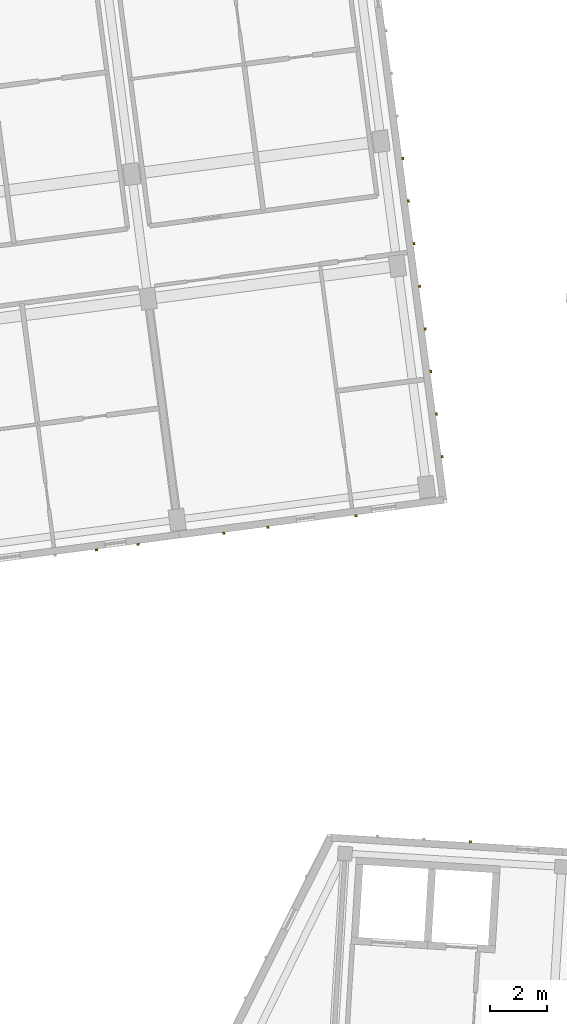
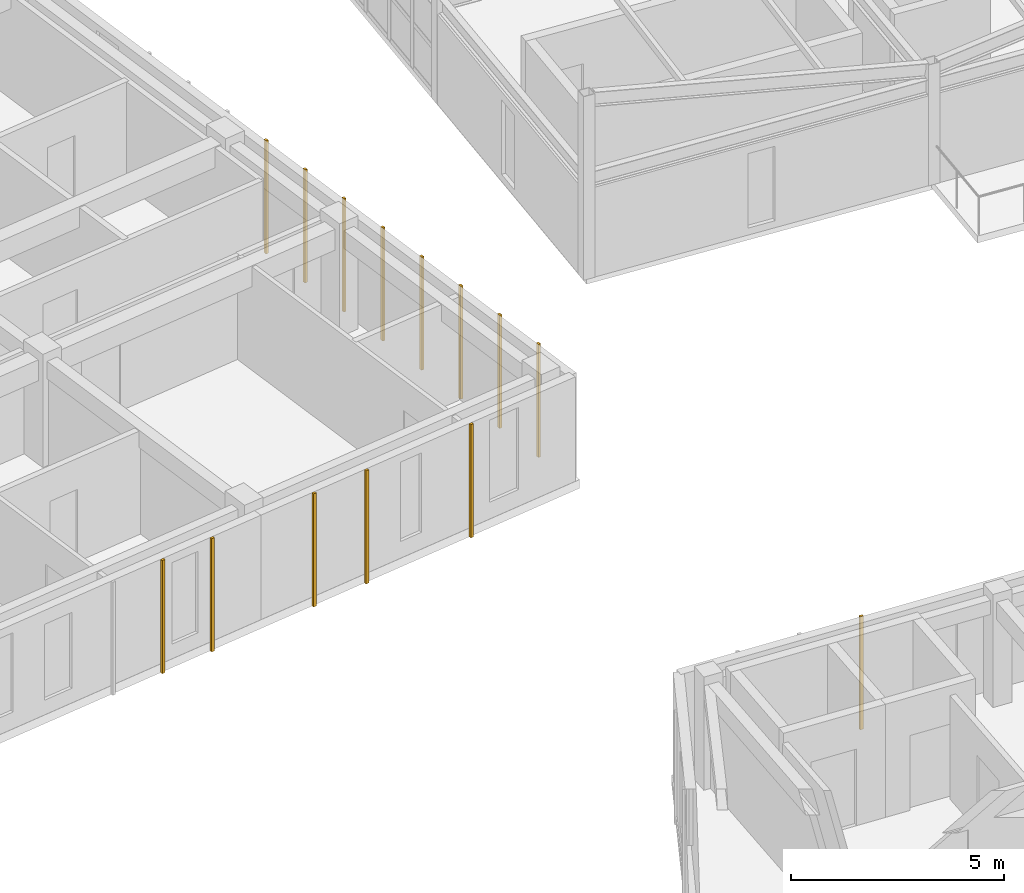
# One storey, part 109 of 127: 14 coverings.
"""IFC4 building model written with IfcOpenShell, lengths in metres."""

import ifcopenshell
import ifcopenshell.guid

model = None  # the IFC model being written
_history = None  # IfcOwnerHistory: only IFC2X3 demands one
_inside = {}  # id of a spatial element -> (the spatial element, [elements in it])
_under = {}  # id of a project, library or spatial element -> (it, [spatial elements below it])
_declared = {}  # id of a project -> (the project, [libraries it declares])
_typed = {}  # id of a type object -> (the type object, [elements of that type])
_made_of = {}  # id of a material, layer set ... -> (it, [elements and type objects made of it])


def new_model(schema):
    """Start an empty IFC model of exactly this schema.

    Asked for "IFC4X3", IfcOpenShell would pick the latest addendum, in which some entities
    have other attributes; the version numbers below select the first issue.
    IFC2X3 requires an IfcOwnerHistory on every rooted entity: one is made here for all.
    """
    global model, _history
    if schema == "IFC4X3":
        model = ifcopenshell.file(schema_version=(4, 3, 0, 0))
    else:
        model = ifcopenshell.file(schema=schema)
    _inside.clear()
    _under.clear()
    _declared.clear()
    _typed.clear()
    _made_of.clear()
    _history = None
    if model.schema == "IFC2X3":
        org = make("IfcOrganization", Name="unknown")
        user = make(
            "IfcPersonAndOrganization",
            ThePerson=make("IfcPerson", FamilyName="unknown"),
            TheOrganization=org,
        )
        app = make(
            "IfcApplication",
            ApplicationDeveloper=org,
            Version="unknown",
            ApplicationFullName="unknown",
            ApplicationIdentifier="unknown",
        )
        _history = make(
            "IfcOwnerHistory",
            OwningUser=user,
            OwningApplication=app,
            ChangeAction="ADDED",
            CreationDate=0,
        )
    return model


def make(cls, **values):
    """One entity of the class cls with the attributes given. An attribute that is None is left unset."""
    return model.create_entity(
        cls, **{name: value for name, value in values.items() if value is not None}
    )


def rooted(cls, **values):
    """An entity with a GlobalId (a new one), such as an element, a storey or a relation."""
    return make(cls, GlobalId=ifcopenshell.guid.new(), OwnerHistory=_history, **values)


def si_unit(unit_type, name, prefix=None):
    """IfcSIUnit, for example si_unit("LENGTHUNIT", "METRE", prefix="MILLI")."""
    return make("IfcSIUnit", UnitType=unit_type, Prefix=prefix, Name=name)


def assignment(units):
    """IfcUnitAssignment: the units of a project."""
    return None if units is None else make("IfcUnitAssignment", Units=units)


def point(xyz):
    """IfcCartesianPoint."""
    return None if xyz is None else make("IfcCartesianPoint", Coordinates=xyz)


def direction(xyz):
    """IfcDirection."""
    return None if xyz is None else make("IfcDirection", DirectionRatios=xyz)


def frame(location, z_axis=None, x_axis=None):
    """IfcAxis2Placement3D, a coordinate frame: its origin and axes. An axis left out is left unset."""
    return make(
        "IfcAxis2Placement3D",
        Location=point(location),
        Axis=direction(z_axis),
        RefDirection=direction(x_axis),
    )


def frame_2d(location, x_axis=None):
    """IfcAxis2Placement2D, a coordinate frame in the plane: its origin and x axis."""
    return make(
        "IfcAxis2Placement2D", Location=point(location), RefDirection=direction(x_axis)
    )


def origin():
    """The frame at (0, 0, 0) with its axes left unset."""
    return frame((0.0, 0.0, 0.0))


def origin_2d():
    """The frame at (0, 0) in the plane with its x axis left unset."""
    return frame_2d((0.0, 0.0))


def place(relative_to, where):
    """IfcLocalPlacement: puts the frame where relative to a parent placement (None: the world)."""
    return make(
        "IfcLocalPlacement", PlacementRelTo=relative_to, RelativePlacement=where
    )


def context(
    kind, dimensions, precision=None, world=None, true_north=None, identifier=None
):
    """IfcGeometricRepresentationContext, for example the 3D "Model" context."""
    return make(
        "IfcGeometricRepresentationContext",
        ContextIdentifier=identifier,
        ContextType=kind,
        CoordinateSpaceDimension=dimensions,
        Precision=precision,
        WorldCoordinateSystem=world,
        TrueNorth=true_north,
    )


def subcontext(parent, identifier, kind, view, scale=None):
    """IfcGeometricRepresentationSubContext, for example "Body" below "Model"."""
    return make(
        "IfcGeometricRepresentationSubContext",
        ContextIdentifier=identifier,
        ContextType=kind,
        ParentContext=parent,
        TargetScale=scale,
        TargetView=view,
    )


def project(units=None, contexts=None):
    """IfcProject with its units and contexts."""
    return rooted(
        "IfcProject",
        Name="project",
        RepresentationContexts=contexts,
        UnitsInContext=assignment(units),
    )


def spatial(cls, under=None, at=None, **own):
    """A site, building, storey or space (cls), placed at a placement, below another one or the project."""
    s = rooted(cls, ObjectPlacement=at, **own)
    if under is not None:
        _under.setdefault(under.id(), (under, []))[1].append(s)
    return s


def profile(cls, at=None, kind="AREA", **sizes):
    """A parametric profile (cls). Its sizes go by their IFC names, for example OverallWidth=200.0."""
    return make(cls, ProfileType=kind, Position=at, **sizes)


def rectangle(**sizes):
    """IfcRectangleProfileDef."""
    return profile("IfcRectangleProfileDef", **sizes)


def extrude(swept, where, along, depth):
    """IfcExtrudedAreaSolid: the profile swept, set in the frame where, extruded along a direction by depth."""
    return make(
        "IfcExtrudedAreaSolid",
        SweptArea=swept,
        Position=where,
        ExtrudedDirection=direction(along),
        Depth=depth,
    )


def shape(context_of_items, identifier, shape_type, items):
    """IfcShapeRepresentation: the items that make up one representation, for example the "Body"."""
    return make(
        "IfcShapeRepresentation",
        ContextOfItems=context_of_items,
        RepresentationIdentifier=identifier,
        RepresentationType=shape_type,
        Items=items,
    )


def material(Name=None, Category=None):
    """IfcMaterial."""
    return make("IfcMaterial", Name=Name, Category=Category)


def layer(
    of_material, thickness, ventilated=None, Name=None, Category=None, Priority=None
):
    """IfcMaterialLayer: one layer of a wall or slab, of a material (None: an air gap)."""
    return make(
        "IfcMaterialLayer",
        Material=of_material,
        LayerThickness=thickness,
        IsVentilated=ventilated,
        Name=Name,
        Category=Category,
        Priority=Priority,
    )


def layer_set(layers, Name=None):
    """IfcMaterialLayerSet."""
    return make("IfcMaterialLayerSet", MaterialLayers=layers, LayerSetName=Name)


def made_of(thing, what):
    """Note that an element or type object is made of a material, layer set ...; save() writes the relation."""
    if what is not None:
        _made_of.setdefault(what.id(), (what, []))[1].append(thing)
    return thing


def type_object(cls, material=None, **own):
    """A type object (cls), such as IfcWallType, which elements share."""
    return made_of(rooted(cls, **own), material)


def element(
    cls,
    number,
    at=None,
    inside=None,
    cuts=None,
    type_object=None,
    material=None,
    context=None,
    identifier="Body",
    shape_type=None,
    held_by="IfcProductDefinitionShape",
    body=None,
    shapes=None,
    **own,
):
    """One element of the class cls, such as IfcWall. Its Tag is "e" and its number.

    at: its placement. inside: the storey or other place that contains it. cuts: it is an
    opening in that element (IfcRelVoidsElement). A single representation is given by context,
    identifier, shape_type and body (its items); several are given by shapes. held_by: the class
    of the entity that holds the representations. save() writes the other relations.
    """
    e = rooted(cls, Tag="e%d" % number, ObjectPlacement=at, **own)
    if body is not None:
        shapes = [shape(context, identifier, shape_type, body)]
    if shapes is not None:
        e.Representation = make(held_by, Representations=shapes)
    if inside is not None:
        _inside.setdefault(inside.id(), (inside, []))[1].append(e)
    if cuts is not None:
        rooted(
            "IfcRelVoidsElement", RelatingBuildingElement=cuts, RelatedOpeningElement=e
        )
    if type_object is not None:
        _typed.setdefault(type_object.id(), (type_object, []))[1].append(e)
    return made_of(e, material)


def aggregate(whole, parts):
    """IfcRelAggregates: a whole, such as a stair, and the parts it consists of."""
    return rooted("IfcRelAggregates", RelatingObject=whole, RelatedObjects=parts)


def save(model, path):
    """Write the relations noted so far, then the file.

    IfcRelAggregates (storeys below a building ...), IfcRelContainedInSpatialStructure (elements
    in a storey), IfcRelDefinesByType, IfcRelAssociatesMaterial and IfcRelDeclares: one each for
    every whole, place, type object, material and project.
    """
    for whole, parts in _under.values():
        aggregate(whole, parts)
    for where, things in _inside.values():
        rooted(
            "IfcRelContainedInSpatialStructure",
            RelatedElements=things,
            RelatingStructure=where,
        )
    for kind, things in _typed.values():
        rooted("IfcRelDefinesByType", RelatedObjects=things, RelatingType=kind)
    for what, things in _made_of.values():
        rooted("IfcRelAssociatesMaterial", RelatedObjects=things, RelatingMaterial=what)
    for by, libraries in _declared.values():
        rooted("IfcRelDeclares", RelatingContext=by, RelatedDefinitions=libraries)
    model.write(path)


model = new_model("IFC4")

# Units and contexts
model_context = context("Model", 3, precision=1e-05, world=origin(), true_north=direction((0.0, 1.0)))
body_context = subcontext(model_context, "Body", "Model", "MODEL_VIEW")
ifc_project = project(units=[si_unit("LENGTHUNIT", "METRE"), si_unit("AREAUNIT", "SQUARE_METRE"), si_unit("VOLUMEUNIT", "CUBIC_METRE"), si_unit("PLANEANGLEUNIT", "RADIAN"), si_unit("MASSUNIT", "GRAM", prefix="KILO")], contexts=[model_context])

# Site, building, storey
site_placement = place(None, origin())
site = spatial("IfcSite", under=ifc_project, at=site_placement, CompositionType="ELEMENT")
building_placement = place(site_placement, origin())
building = spatial("IfcBuilding", under=site, at=building_placement, Name="Kestramere Prow Commons", CompositionType="ELEMENT")
storey_placement = place(building_placement, frame((0.0, 0.0, 8.39990234375)))
storey = spatial("IfcBuildingStorey", under=building, at=storey_placement, Name="L02", CompositionType="ELEMENT", Elevation=8.39990234375)

# Coverings
ifc_material = material(Name="Weathered Zinc-Titanium Standing-Seam Cladding")
ifc_layer = layer(ifc_material, 0.074951171875)
ifc_layer_set = layer_set([ifc_layer], Name="Weathered Zinc-Titanium Standing-Seam Cladding")
covering_type = type_object("IfcCoveringType", Name="COV-CLAD-SEAM", PredefinedType="CLADDING", material=ifc_layer_set)
for number, where, z_axis, x_axis, name in (
    (1, (53.4580078125, 76.880126953125, -0.25), (0.0, 0.0, 1.0), (-0.991444861374, -0.13052619222, 0.0), "EW-A-L02-S-4 Standing-Seam Rib 1"),
    (2, (52.003662109375, 76.6884765625, -0.25), (0.0, 0.0, 1.0), (-0.991444861374, -0.13052619222, 0.0), "EW-A-L02-S-4 Standing-Seam Rib 2"),
    (3, (61.075439453125, 77.8828125, -0.25), (0.0, 0.0, 1.0), (-0.991444861374, -0.13052619222, 0.0), "EW-A-L02-S-5 Standing-Seam Rib 2"),
    (4, (57.99365234375, 77.47705078125, -0.25), (0.0, 0.0, 1.0), (-0.991444861374, -0.13052619222, 0.0), "EW-A-L02-S-5 Standing-Seam Rib 4"),
    (5, (56.452880859375, 77.2744140625, -0.25), (0.0, 0.0, 1.0), (-0.991444861374, -0.13052619222, 0.0), "EW-A-L02-S-5 Standing-Seam Rib 5"),
    (6, (62.718505859375, 90.38525390625, -0.25), (0.0, 0.0, 1.0), (0.13052619222, -0.991444861374, 0.0), "EW-A-L02-EAV Standing-Seam Rib 6"),
    (7, (62.914794921875, 88.894775390625, -0.25), (0.0, 0.0, 1.0), (0.13052619222, -0.991444861374, 0.0), "EW-A-L02-EAV Standing-Seam Rib 7"),
    (8, (63.111083984375, 87.404052734375, -0.25), (0.0, 0.0, 1.0), (0.13052619222, -0.991444861374, 0.0), "EW-A-L02-EAV Standing-Seam Rib 8"),
    (9, (63.30712890625, 85.913330078125, -0.25), (0.0, 0.0, 1.0), (0.13052619222, -0.991444861374, 0.0), "EW-A-L02-EAV Standing-Seam Rib 9"),
    (10, (63.50341796875, 84.422607421875, -0.25), (0.0, 0.0, 1.0), (0.13052619222, -0.991444861374, 0.0), "EW-A-L02-EAV Standing-Seam Rib 10"),
    (11, (63.69970703125, 82.931884765625, -0.25), (0.0, 0.0, 1.0), (0.13052619222, -0.991444861374, 0.0), "EW-A-L02-EAV Standing-Seam Rib 11"),
    (12, (63.89599609375, 81.441162109375, -0.25), (0.0, 0.0, 1.0), (0.13052619222, -0.991444861374, 0.0), "EW-A-L02-EAV Standing-Seam Rib 12"),
    (13, (64.09228515625, 79.950439453125, -0.25), (0.0, 0.0, 1.0), (0.13052619222, -0.991444861374, 0.0), "EW-A-L02-EAV Standing-Seam Rib 13"),
    (14, (65.079833984375, 66.47412109375, -0.25), (0.0, 0.0, 1.0), (0.998134798422, -0.061048539535, 0.0), "EW-C-L02-N-0 Standing-Seam Rib 3"),
):
    element("IfcCovering", number, at=place(storey_placement, frame(where, z_axis=z_axis, x_axis=x_axis)), inside=storey, type_object=covering_type, Name=name, PredefinedType="CLADDING", context=body_context, shape_type="SweptSolid", body=[
        extrude(rectangle(XDim=0.0849609375, YDim=0.06494140625, at=origin_2d()), origin(), (0.0, 0.0, 1.0), 3.25),
    ])

save(model, "model.ifc")
